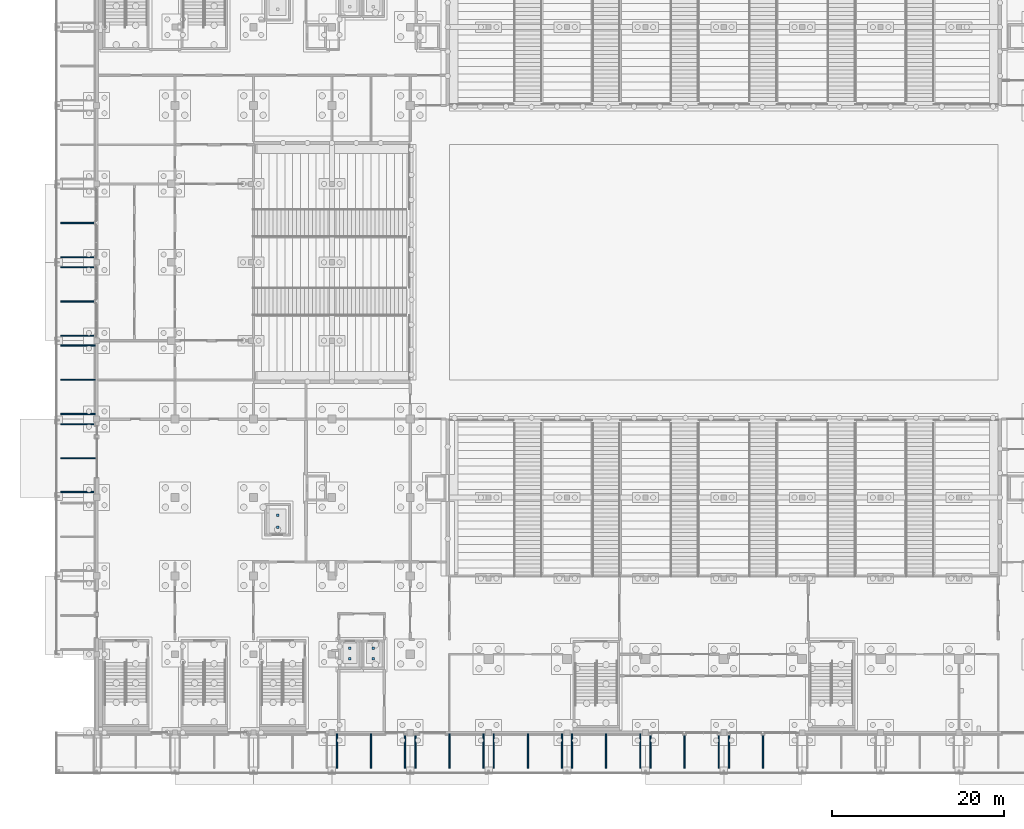
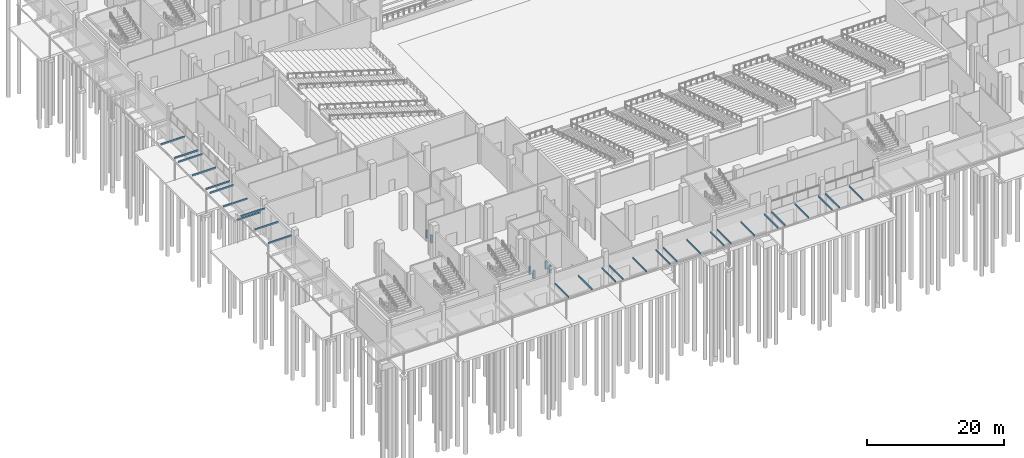
# One storey, part 95 of 129: 34 discrete accessories.
"""IFC4 building model written with IfcOpenShell, lengths in metres."""

from ifc_helpers import new_model, si_unit, direction, frame, origin, origin_2d, place, context, subcontext, project, spatial, rectangle, extrude, material, type_object, element, save


model = new_model("IFC4")

# Units and contexts
model_context = context("Model", 3, precision=1e-05, world=origin(), true_north=direction((0.0, 1.0)))
body_context = subcontext(model_context, "Body", "Model", "MODEL_VIEW")
ifc_project = project(units=[si_unit("LENGTHUNIT", "METRE"), si_unit("AREAUNIT", "SQUARE_METRE"), si_unit("VOLUMEUNIT", "CUBIC_METRE"), si_unit("PLANEANGLEUNIT", "RADIAN"), si_unit("MASSUNIT", "GRAM", prefix="KILO")], contexts=[model_context])

# Site, building, storey
site_placement = place(None, origin())
site = spatial("IfcSite", under=ifc_project, at=site_placement, CompositionType="ELEMENT")
building_placement = place(site_placement, origin())
building = spatial("IfcBuilding", under=site, at=building_placement, Name="Shirokan Park Arena", CompositionType="ELEMENT")
storey_placement = place(building_placement, origin())
storey = spatial("IfcBuildingStorey", under=building, at=storey_placement, Name="L00", CompositionType="ELEMENT", Elevation=0.0)

# Discrete accessories
ifc_material = material(Name="Steel S355", Category="steel")
discrete_accessory_type = type_object("IfcDiscreteAccessoryType", Name="Canopy bracket 150x250", PredefinedType="BRACKET", material=ifc_material)
for number, where, z_axis, x_axis, name in (
    (1, (27.89990234375, -2.14990234375, 3.35009765625), (0.0, 0.0, 1.0), (1.0, 0.0, 0.0), "Canopy bracket south bay 4 1"),
    (2, (31.83740234375, -2.14990234375, 3.35009765625), (0.0, 0.0, 1.0), (1.0, 0.0, 0.0), "Canopy bracket south bay 4 2"),
    (3, (35.77490234375, -2.14990234375, 3.35009765625), (0.0, 0.0, 1.0), (1.0, 0.0, 0.0), "Canopy bracket south bay 4 3"),
    (4, (37.02490234375, -2.14990234375, 3.35009765625), (0.0, 0.0, 1.0), (1.0, 0.0, 0.0), "Canopy bracket south bay 5 1"),
    (5, (40.96240234375, -2.14990234375, 3.35009765625), (0.0, 0.0, 1.0), (1.0, 0.0, 0.0), "Canopy bracket south bay 5 2"),
    (6, (44.89990234375, -2.14990234375, 3.35009765625), (0.0, 0.0, 1.0), (1.0, 0.0, 0.0), "Canopy bracket south bay 5 3"),
    (7, (46.10009765625, -2.14990234375, 3.35009765625), (0.0, 0.0, 1.0), (1.0, 0.0, 0.0), "Canopy bracket south bay 6 1"),
    (8, (50.0625, -2.14990234375, 3.35009765625), (0.0, 0.0, 1.0), (1.0, 0.0, 0.0), "Canopy bracket south bay 6 2"),
    (9, (54.02490234375, -2.14990234375, 3.35009765625), (0.0, 0.0, 1.0), (1.0, 0.0, 0.0), "Canopy bracket south bay 6 3"),
    (10, (55.175048828125, -2.14990234375, 3.35009765625), (0.0, 0.0, 1.0), (1.0, 0.0, 0.0), "Canopy bracket south bay 7 1"),
    (11, (59.137451171875, -2.14990234375, 3.35009765625), (0.0, 0.0, 1.0), (1.0, 0.0, 0.0), "Canopy bracket south bay 7 2"),
    (12, (63.10009765625, -2.14990234375, 3.35009765625), (0.0, 0.0, 1.0), (1.0, 0.0, 0.0), "Canopy bracket south bay 7 3"),
    (13, (64.300048828125, -2.14990234375, 3.35009765625), (0.0, 0.0, 1.0), (1.0, 0.0, 0.0), "Canopy bracket south bay 8 1"),
    (14, (68.25, -2.14990234375, 3.35009765625), (0.0, 0.0, 1.0), (1.0, 0.0, 0.0), "Canopy bracket south bay 8 2"),
    (15, (72.199951171875, -2.14990234375, 3.35009765625), (0.0, 0.0, 1.0), (1.0, 0.0, 0.0), "Canopy bracket south bay 8 3"),
    (16, (73.39990234375, -2.14990234375, 3.35009765625), (0.0, 0.0, 1.0), (1.0, 0.0, 0.0), "Canopy bracket south bay 9 1"),
    (17, (77.362548828125, -2.14990234375, 3.35009765625), (0.0, 0.0, 1.0), (1.0, 0.0, 0.0), "Canopy bracket south bay 9 2"),
    (18, (-2.14990234375, 59.14990234375, 3.35009765625), (0.0, 0.0, 1.0), (0.0, -1.0, 0.0), "Canopy bracket west bay 6 2"),
    (19, (-2.14990234375, 55.175048828125, 3.35009765625), (0.0, 0.0, 1.0), (0.0, -1.0, 0.0), "Canopy bracket west bay 6 3"),
    (20, (-2.14990234375, 54.02490234375, 3.35009765625), (0.0, 0.0, 1.0), (0.0, -1.0, 0.0), "Canopy bracket west bay 7 1"),
    (21, (-2.14990234375, 50.050048828125, 3.35009765625), (0.0, 0.0, 1.0), (0.0, -1.0, 0.0), "Canopy bracket west bay 7 2"),
    (22, (-2.14990234375, 46.074951171875, 3.35009765625), (0.0, 0.0, 1.0), (0.0, -1.0, 0.0), "Canopy bracket west bay 7 3"),
    (23, (-2.14990234375, 44.925048828125, 3.35009765625), (0.0, 0.0, 1.0), (0.0, -1.0, 0.0), "Canopy bracket west bay 8 1"),
    (24, (-2.14990234375, 40.96240234375, 3.35009765625), (0.0, 0.0, 1.0), (0.0, -1.0, 0.0), "Canopy bracket west bay 8 2"),
    (25, (-2.14990234375, 37.0, 3.35009765625), (0.0, 0.0, 1.0), (0.0, -1.0, 0.0), "Canopy bracket west bay 8 3"),
    (26, (-2.14990234375, 35.800048828125, 4.75), (0.0, 0.0, 1.0), (0.0, -1.0, 0.0), "Canopy bracket west bay 9 1"),
    (27, (-2.14990234375, 31.862548828125, 4.75), (0.0, 0.0, 1.0), (0.0, -1.0, 0.0), "Canopy bracket west bay 9 2"),
    (28, (-2.14990234375, 27.925048828125, 4.75), (0.0, 0.0, 1.0), (0.0, -1.0, 0.0), "Canopy bracket west bay 9 3"),
):
    element("IfcDiscreteAccessory", number, at=place(storey_placement, frame(where, z_axis=z_axis, x_axis=x_axis)), inside=storey, type_object=discrete_accessory_type, Name=name, PredefinedType="BRACKET", context=body_context, shape_type="SweptSolid", body=[
        extrude(rectangle(XDim=0.14990234375, YDim=4.0, at=origin_2d()), origin(), (0.0, 0.0, 1.0), 0.25),
    ])
for number, where, z_axis, x_axis, name in (
    (29, (29.39990234375, 8.60009765625, -1.39990234375), (0.0, 0.0, 1.0), (1.0, 0.0, 0.0), "Lift buffer Passenger Lift 1.1 1"),
    (30, (29.39990234375, 9.800048828125, -1.39990234375), (0.0, 0.0, 1.0), (1.0, 0.0, 0.0), "Lift buffer Passenger Lift 1.1 2"),
    (31, (32.10009765625, 8.60009765625, -1.39990234375), (0.0, 0.0, 1.0), (1.0, 0.0, 0.0), "Lift buffer Passenger Lift 1.2 1"),
    (32, (32.10009765625, 9.800048828125, -1.39990234375), (0.0, 0.0, 1.0), (1.0, 0.0, 0.0), "Lift buffer Passenger Lift 1.2 2"),
    (33, (21.0, 23.85009765625, -1.39990234375), (0.0, 0.0, 1.0), (1.0, 0.0, 0.0), "Lift buffer Service Lift 1 1"),
    (34, (21.0, 25.25, -1.39990234375), (0.0, 0.0, 1.0), (1.0, 0.0, 0.0), "Lift buffer Service Lift 1 2"),
):
    element("IfcDiscreteAccessory", number, at=place(storey_placement, frame(where, z_axis=z_axis, x_axis=x_axis)), inside=storey, Name=name, ObjectType="LIFT BUFFER", PredefinedType="USERDEFINED", context=body_context, shape_type="SweptSolid", body=[
        extrude(rectangle(XDim=0.300048828125, YDim=0.300048828125, at=origin_2d()), origin(), (0.0, 0.0, 1.0), 1.39990234375),
    ])

save(model, "model.ifc")
